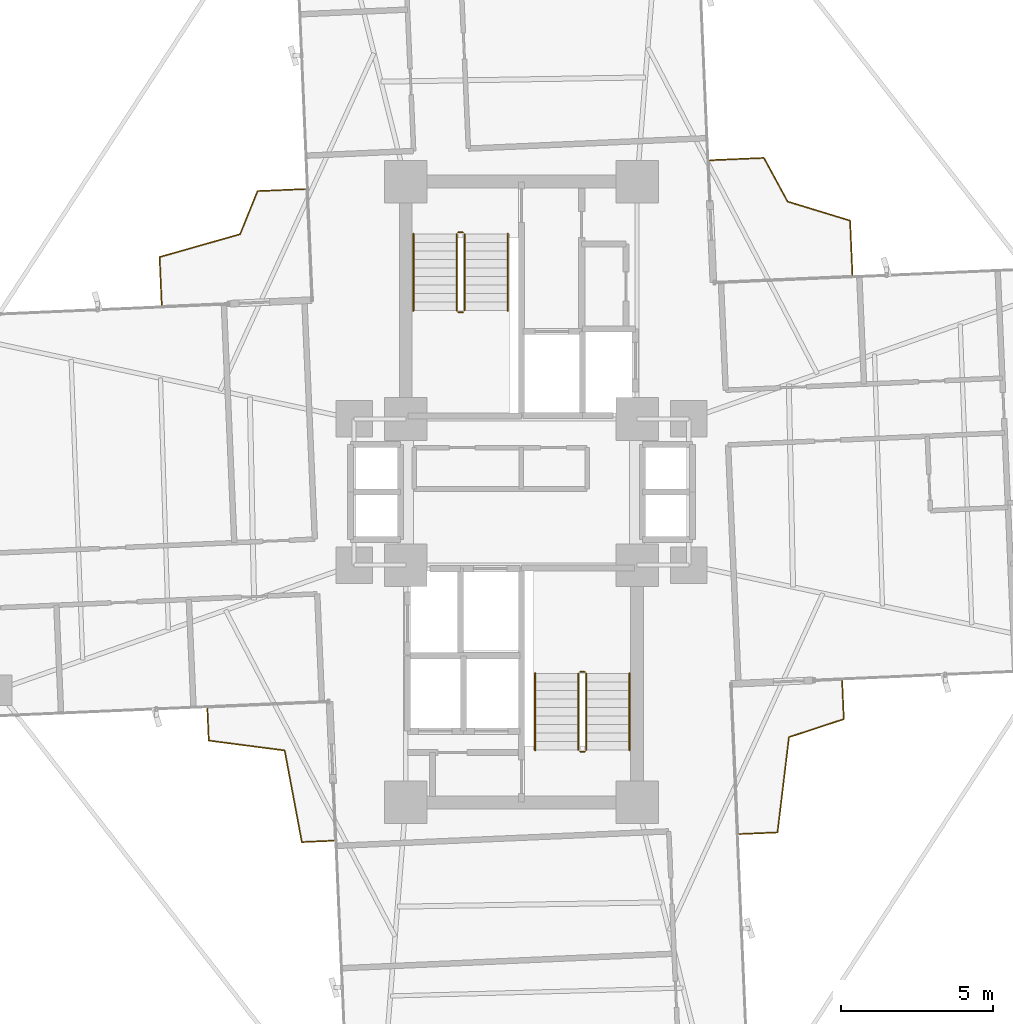
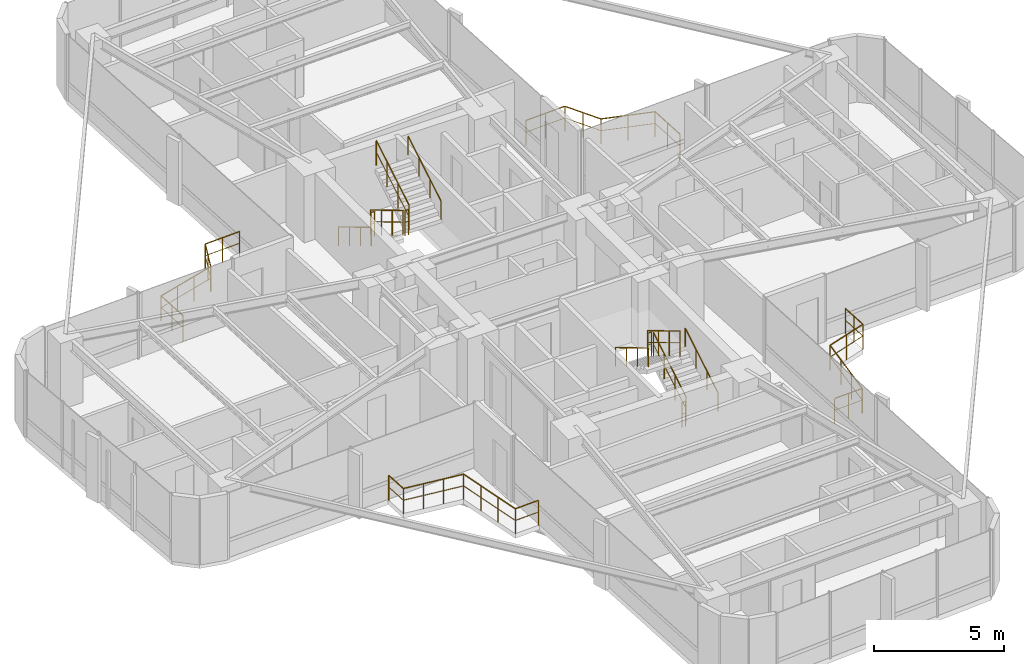
# One storey, part 26 of 26: 16 railings.
"""IFC4 building model written with IfcOpenShell, lengths in metres."""

from ifc_helpers import new_model, si_unit, direction, frame, origin, origin_2d, place, context, subcontext, project, spatial, circle, extrude, material, type_object, element, save


model = new_model("IFC4")

# Units and contexts
model_context = context("Model", 3, precision=1e-05, world=origin(), true_north=direction((0.0, 1.0)))
body_context = subcontext(model_context, "Body", "Model", "MODEL_VIEW")
ifc_project = project(units=[si_unit("LENGTHUNIT", "METRE"), si_unit("AREAUNIT", "SQUARE_METRE"), si_unit("VOLUMEUNIT", "CUBIC_METRE"), si_unit("PLANEANGLEUNIT", "RADIAN"), si_unit("MASSUNIT", "GRAM", prefix="KILO")], contexts=[model_context])

# Site, building, storey
site_placement = place(None, origin())
site = spatial("IfcSite", under=ifc_project, at=site_placement, CompositionType="ELEMENT")
building_placement = place(site_placement, origin())
building = spatial("IfcBuilding", under=site, at=building_placement, Name="Sahyath Konkavel Grand Hotel", CompositionType="ELEMENT")
storey_placement = place(building_placement, frame((0.0, 0.0, 114.800048828125)))
storey = spatial("IfcBuildingStorey", under=building, at=storey_placement, Name="L31", CompositionType="ELEMENT", Elevation=114.800048828125)

# Railings
ifc_material_1 = material(Name="Anodised Bronze Aluminium", Category="aluminium")
railing_type_1 = type_object("IfcRailingType", Name="RLG-BALC-1200", PredefinedType="GUARDRAIL", material=ifc_material_1)
railing_1_placement = place(storey_placement, frame((10.876953125, 7.14111328125, 0.0)))
element("IfcRailing", 1, at=railing_1_placement, inside=storey, type_object=railing_type_1, Name="L31 Winter-Garden Guard NE", PredefinedType="GUARDRAIL", context=body_context, shape_type="SweptSolid", body=[
    extrude(circle(Radius=0.02392578125, at=origin_2d()), frame((0.0, 0.001953125, 1.17578125), z_axis=(-0.043621763212, 0.999048117847, 0.0), x_axis=(-0.999048117847, -0.043621763212, 0.0)), (0.0, 0.0, 1.0), 1.77587890625),
    extrude(circle(Radius=0.01416015625, at=origin_2d()), frame((0.0, 0.001953125, 0.6240234375), z_axis=(-0.043621763212, 0.999048117847, 0.0), x_axis=(-0.999048117847, -0.043621763212, 0.0)), (0.0, 0.0, 1.0), 1.77587890625),
    extrude(circle(Radius=0.02392578125, at=origin_2d()), frame((-0.07958984375, 1.778564453125, 1.17578125), z_axis=(-0.956431028799, 0.291958365441, 0.0), x_axis=(-0.291958365441, -0.956431028799, 0.0)), (0.0, 0.0, 1.0), 2.141845703125),
    extrude(circle(Radius=0.01416015625, at=origin_2d()), frame((-0.07958984375, 1.778564453125, 0.6240234375), z_axis=(-0.956431028799, 0.291958365441, 0.0), x_axis=(-0.291958365441, -0.956431028799, 0.0)), (0.0, 0.0, 1.0), 2.141845703125),
    extrude(circle(Radius=0.02392578125, at=origin_2d()), frame((-2.130859375, 2.40625, 1.17578125), z_axis=(-0.477174386899, 0.878808627909, 0.0), x_axis=(-0.878808627909, -0.477174386899, 0.0)), (0.0, 0.0, 1.0), 1.628173828125),
    extrude(circle(Radius=0.01416015625, at=origin_2d()), frame((-2.130859375, 2.40625, 0.6240234375), z_axis=(-0.477174386899, 0.878808627909, 0.0), x_axis=(-0.878808627909, -0.477174386899, 0.0)), (0.0, 0.0, 1.0), 1.628173828125),
    extrude(circle(Radius=0.02392578125, at=origin_2d()), frame((-2.91064453125, 3.8388671875, 1.17578125), z_axis=(-0.999048117847, -0.043621763212, 0.0), x_axis=(0.043621763212, -0.999048117847, 0.0)), (0.0, 0.0, 1.0), 1.77587890625),
    extrude(circle(Radius=0.01416015625, at=origin_2d()), frame((-2.91064453125, 3.8388671875, 0.6240234375), z_axis=(-0.999048117847, -0.043621763212, 0.0), x_axis=(0.043621763212, -0.999048117847, 0.0)), (0.0, 0.0, 1.0), 1.77587890625),
    extrude(circle(Radius=0.02099609375, at=origin_2d()), origin(), (0.0, 0.0, 1.0), 1.15185546875),
    extrude(circle(Radius=0.02099609375, at=origin_2d()), frame((-0.038818359375, 0.88916015625, 0.0)), (0.0, 0.0, 1.0), 1.15185546875),
    extrude(circle(Radius=0.02099609375, at=origin_2d()), frame((-0.07763671875, 1.778076171875, 0.0)), (0.0, 0.0, 1.0), 1.15185546875),
    extrude(circle(Radius=0.02099609375, at=origin_2d()), frame((-1.103759765625, 2.09130859375, 0.0)), (0.0, 0.0, 1.0), 1.15185546875),
    extrude(circle(Radius=0.02099609375, at=origin_2d()), frame((-2.1298828125, 2.404541015625, 0.0)), (0.0, 0.0, 1.0), 1.15185546875),
    extrude(circle(Radius=0.02099609375, at=origin_2d()), frame((-2.519287109375, 3.12158203125, 0.0)), (0.0, 0.0, 1.0), 1.15185546875),
    extrude(circle(Radius=0.02099609375, at=origin_2d()), frame((-2.90869140625, 3.8388671875, 0.0)), (0.0, 0.0, 1.0), 1.15185546875),
    extrude(circle(Radius=0.02099609375, at=origin_2d()), frame((-3.7978515625, 3.800048828125, 0.0)), (0.0, 0.0, 1.0), 1.15185546875),
    extrude(circle(Radius=0.02099609375, at=origin_2d()), frame((-4.686767578125, 3.76123046875, 0.0)), (0.0, 0.0, 1.0), 1.15185546875),
])
railing_2_placement = place(storey_placement, frame((-7.10107421875, 9.957763671875, 0.0)))
element("IfcRailing", 2, at=railing_2_placement, inside=storey, type_object=railing_type_1, Name="L31 Winter-Garden Guard NW", PredefinedType="GUARDRAIL", context=body_context, shape_type="SweptSolid", body=[
    extrude(circle(Radius=0.02392578125, at=origin_2d()), frame((-0.001953125, 0.0, 1.17578125), z_axis=(-0.999048529224, -0.043612340642, 0.0), x_axis=(0.043612340642, -0.999048529224, 0.0)), (0.0, 0.0, 1.0), 1.569091796875),
    extrude(circle(Radius=0.01416015625, at=origin_2d()), frame((-0.001953125, 0.0, 0.6240234375), z_axis=(-0.999048529224, -0.043612340642, 0.0), x_axis=(0.043612340642, -0.999048529224, 0.0)), (0.0, 0.0, 1.0), 1.569091796875),
    extrude(circle(Radius=0.02392578125, at=origin_2d()), frame((-1.572265625, -0.070556640625, 1.17578125), z_axis=(-0.37540844276, -0.926859482934, 0.0), x_axis=(0.926859482934, -0.37540844276, 0.0)), (0.0, 0.0, 1.0), 1.524169921875),
    extrude(circle(Radius=0.01416015625, at=origin_2d()), frame((-1.572265625, -0.070556640625, 0.6240234375), z_axis=(-0.37540844276, -0.926859482934, 0.0), x_axis=(0.926859482934, -0.37540844276, 0.0)), (0.0, 0.0, 1.0), 1.524169921875),
    extrude(circle(Radius=0.02392578125, at=origin_2d()), frame((-2.147216796875, -1.485595703125, 1.17578125), z_axis=(-0.961945175022, -0.273242530092, 0.0), x_axis=(0.273242530092, -0.961945175022, 0.0)), (0.0, 0.0, 1.0), 2.744384765625),
    extrude(circle(Radius=0.01416015625, at=origin_2d()), frame((-2.147216796875, -1.485595703125, 0.6240234375), z_axis=(-0.961945175022, -0.273242530092, 0.0), x_axis=(0.273242530092, -0.961945175022, 0.0)), (0.0, 0.0, 1.0), 2.744384765625),
    extrude(circle(Radius=0.02392578125, at=origin_2d()), frame((-4.7890625, -2.238037109375, 1.17578125), z_axis=(0.043612340642, -0.999048529224, 0.0), x_axis=(0.999048529224, 0.043612340642, 0.0)), (0.0, 0.0, 1.0), 1.569091796875),
    extrude(circle(Radius=0.01416015625, at=origin_2d()), frame((-4.7890625, -2.238037109375, 0.6240234375), z_axis=(0.043612340642, -0.999048529224, 0.0), x_axis=(0.999048529224, 0.043612340642, 0.0)), (0.0, 0.0, 1.0), 1.569091796875),
    extrude(circle(Radius=0.02099609375, at=origin_2d()), origin(), (0.0, 0.0, 1.0), 1.15185546875),
    extrude(circle(Radius=0.02099609375, at=origin_2d()), frame((-0.78564453125, -0.0341796875, 0.0)), (0.0, 0.0, 1.0), 1.15185546875),
    extrude(circle(Radius=0.02099609375, at=origin_2d()), frame((-1.571533203125, -0.068603515625, 0.0)), (0.0, 0.0, 1.0), 1.15185546875),
    extrude(circle(Radius=0.02099609375, at=origin_2d()), frame((-1.8583984375, -0.77685546875, 0.0)), (0.0, 0.0, 1.0), 1.15185546875),
    extrude(circle(Radius=0.02099609375, at=origin_2d()), frame((-2.145263671875, -1.485107421875, 0.0)), (0.0, 0.0, 1.0), 1.15185546875),
    extrude(circle(Radius=0.02099609375, at=origin_2d()), frame((-3.026611328125, -1.7353515625, 0.0)), (0.0, 0.0, 1.0), 1.15185546875),
    extrude(circle(Radius=0.02099609375, at=origin_2d()), frame((-3.90771484375, -1.98583984375, 0.0)), (0.0, 0.0, 1.0), 1.15185546875),
    extrude(circle(Radius=0.02099609375, at=origin_2d()), frame((-4.7890625, -2.236083984375, 0.0)), (0.0, 0.0, 1.0), 1.15185546875),
    extrude(circle(Radius=0.02099609375, at=origin_2d()), frame((-4.7548828125, -3.02197265625, 0.0)), (0.0, 0.0, 1.0), 1.15185546875),
    extrude(circle(Radius=0.02099609375, at=origin_2d()), frame((-4.720458984375, -3.8076171875, 0.0)), (0.0, 0.0, 1.0), 1.15185546875),
])
railing_3_placement = place(storey_placement, frame((-10.3212890625, -7.116943359375, 0.0)))
element("IfcRailing", 3, at=railing_3_placement, inside=storey, type_object=railing_type_1, Name="L31 Winter-Garden Guard SW", PredefinedType="GUARDRAIL", context=body_context, shape_type="SweptSolid", body=[
    extrude(circle(Radius=0.02392578125, at=origin_2d()), frame((0.0, -0.001953125, 1.17578125), z_axis=(0.04360834833, -0.999048703495, 0.0), x_axis=(0.999048703495, 0.04360834833, 0.0)), (0.0, 0.0, 1.0), 1.048583984375),
    extrude(circle(Radius=0.01416015625, at=origin_2d()), frame((0.0, -0.001953125, 0.6240234375), z_axis=(0.04360834833, -0.999048703495, 0.0), x_axis=(0.999048703495, 0.04360834833, 0.0)), (0.0, 0.0, 1.0), 1.048583984375),
    extrude(circle(Radius=0.02392578125, at=origin_2d()), frame((0.0478515625, -1.0517578125, 1.17578125), z_axis=(0.991664180118, -0.128849345639, 0.0), x_axis=(0.128849345639, 0.991664180118, 0.0)), (0.0, 0.0, 1.0), 2.51025390625),
    extrude(circle(Radius=0.01416015625, at=origin_2d()), frame((0.0478515625, -1.0517578125, 0.6240234375), z_axis=(0.991664180118, -0.128849345639, 0.0), x_axis=(0.128849345639, 0.991664180118, 0.0)), (0.0, 0.0, 1.0), 2.51025390625),
    extrude(circle(Radius=0.02392578125, at=origin_2d()), frame((2.539794921875, -1.37744140625, 1.17578125), z_axis=(0.184225991414, -0.982883911806, 0.0), x_axis=(0.982883911806, 0.184225991414, 0.0)), (0.0, 0.0, 1.0), 3.059814453125),
    extrude(circle(Radius=0.01416015625, at=origin_2d()), frame((2.539794921875, -1.37744140625, 0.6240234375), z_axis=(0.184225991414, -0.982883911806, 0.0), x_axis=(0.982883911806, 0.184225991414, 0.0)), (0.0, 0.0, 1.0), 3.059814453125),
    extrude(circle(Radius=0.02392578125, at=origin_2d()), frame((3.105712890625, -4.386962890625, 1.17578125), z_axis=(0.999038571033, 0.043839862996, 0.0), x_axis=(-0.043839862996, 0.999038571033, 0.0)), (0.0, 0.0, 1.0), 1.048583984375),
    extrude(circle(Radius=0.01416015625, at=origin_2d()), frame((3.105712890625, -4.386962890625, 0.6240234375), z_axis=(0.999038571033, 0.043839862996, 0.0), x_axis=(-0.043839862996, 0.999038571033, 0.0)), (0.0, 0.0, 1.0), 1.048583984375),
    extrude(circle(Radius=0.02099609375, at=origin_2d()), origin(), (0.0, 0.0, 1.0), 1.15185546875),
    extrude(circle(Radius=0.02099609375, at=origin_2d()), frame((0.0458984375, -1.051513671875, 0.0)), (0.0, 0.0, 1.0), 1.15185546875),
    extrude(circle(Radius=0.02099609375, at=origin_2d()), frame((0.876953125, -1.159423828125, 0.0)), (0.0, 0.0, 1.0), 1.15185546875),
    extrude(circle(Radius=0.02099609375, at=origin_2d()), frame((1.708251953125, -1.267578125, 0.0)), (0.0, 0.0, 1.0), 1.15185546875),
    extrude(circle(Radius=0.02099609375, at=origin_2d()), frame((2.539306640625, -1.37548828125, 0.0)), (0.0, 0.0, 1.0), 1.15185546875),
    extrude(circle(Radius=0.02099609375, at=origin_2d()), frame((2.7275390625, -2.37939453125, 0.0)), (0.0, 0.0, 1.0), 1.15185546875),
    extrude(circle(Radius=0.02099609375, at=origin_2d()), frame((2.91552734375, -3.383056640625, 0.0)), (0.0, 0.0, 1.0), 1.15185546875),
    extrude(circle(Radius=0.02099609375, at=origin_2d()), frame((3.103759765625, -4.386962890625, 0.0)), (0.0, 0.0, 1.0), 1.15185546875),
    extrude(circle(Radius=0.02099609375, at=origin_2d()), frame((4.1552734375, -4.3408203125, 0.0)), (0.0, 0.0, 1.0), 1.15185546875),
])
railing_4_placement = place(storey_placement, frame((7.156982421875, -11.240478515625, 0.0)))
element("IfcRailing", 4, at=railing_4_placement, inside=storey, type_object=railing_type_1, Name="L31 Winter-Garden Guard SE", PredefinedType="GUARDRAIL", context=body_context, shape_type="SweptSolid", body=[
    extrude(circle(Radius=0.02392578125, at=origin_2d()), frame((0.001953125, 0.0, 1.17578125), z_axis=(0.999048093484, 0.043622321179, 0.0), x_axis=(-0.043622321179, 0.999048093484, 0.0)), (0.0, 0.0, 1.0), 1.25537109375),
    extrude(circle(Radius=0.01416015625, at=origin_2d()), frame((0.001953125, 0.0, 0.6240234375), z_axis=(0.999048093484, 0.043622321179, 0.0), x_axis=(-0.043622321179, 0.999048093484, 0.0)), (0.0, 0.0, 1.0), 1.25537109375),
    extrude(circle(Radius=0.02392578125, at=origin_2d()), frame((1.25830078125, 0.056884765625, 1.17578125), z_axis=(0.119514778191, 0.992832421808, 0.0), x_axis=(-0.992832421808, 0.119514778191, 0.0)), (0.0, 0.0, 1.0), 3.14794921875),
    extrude(circle(Radius=0.01416015625, at=origin_2d()), frame((1.25830078125, 0.056884765625, 0.6240234375), z_axis=(0.119514778191, 0.992832421808, 0.0), x_axis=(-0.992832421808, 0.119514778191, 0.0)), (0.0, 0.0, 1.0), 3.14794921875),
    extrude(circle(Radius=0.02392578125, at=origin_2d()), frame((1.63671875, 3.18505859375, 1.17578125), z_axis=(0.950038837673, 0.312131714044, 0.0), x_axis=(-0.312131714044, 0.950038837673, 0.0)), (0.0, 0.0, 1.0), 1.892822265625),
    extrude(circle(Radius=0.01416015625, at=origin_2d()), frame((1.63671875, 3.18505859375, 0.6240234375), z_axis=(0.950038837673, 0.312131714044, 0.0), x_axis=(-0.312131714044, 0.950038837673, 0.0)), (0.0, 0.0, 1.0), 1.892822265625),
    extrude(circle(Radius=0.02392578125, at=origin_2d()), frame((3.436767578125, 3.7783203125, 1.17578125), z_axis=(-0.043630772127, 0.999047724447, 0.0), x_axis=(-0.999047724447, -0.043630772127, 0.0)), (0.0, 0.0, 1.0), 1.255126953125),
    extrude(circle(Radius=0.01416015625, at=origin_2d()), frame((3.436767578125, 3.7783203125, 0.6240234375), z_axis=(-0.043630772127, 0.999047724447, 0.0), x_axis=(-0.999047724447, -0.043630772127, 0.0)), (0.0, 0.0, 1.0), 1.255126953125),
    extrude(circle(Radius=0.02099609375, at=origin_2d()), origin(), (0.0, 0.0, 1.0), 1.15185546875),
    extrude(circle(Radius=0.02099609375, at=origin_2d()), frame((0.62890625, 0.02734375, 0.0)), (0.0, 0.0, 1.0), 1.15185546875),
    extrude(circle(Radius=0.02099609375, at=origin_2d()), frame((1.258056640625, 0.054931640625, 0.0)), (0.0, 0.0, 1.0), 1.15185546875),
    extrude(circle(Radius=0.02099609375, at=origin_2d()), frame((1.383544921875, 1.09814453125, 0.0)), (0.0, 0.0, 1.0), 1.15185546875),
    extrude(circle(Radius=0.02099609375, at=origin_2d()), frame((1.50927734375, 2.14111328125, 0.0)), (0.0, 0.0, 1.0), 1.15185546875),
    extrude(circle(Radius=0.02099609375, at=origin_2d()), frame((1.634765625, 3.184326171875, 0.0)), (0.0, 0.0, 1.0), 1.15185546875),
    extrude(circle(Radius=0.02099609375, at=origin_2d()), frame((2.53564453125, 3.48046875, 0.0)), (0.0, 0.0, 1.0), 1.15185546875),
    extrude(circle(Radius=0.02099609375, at=origin_2d()), frame((3.436767578125, 3.7763671875, 0.0)), (0.0, 0.0, 1.0), 1.15185546875),
    extrude(circle(Radius=0.02099609375, at=origin_2d()), frame((3.4091796875, 4.4052734375, 0.0)), (0.0, 0.0, 1.0), 1.15185546875),
    extrude(circle(Radius=0.02099609375, at=origin_2d()), frame((3.3818359375, 5.0341796875, 0.0)), (0.0, 0.0, 1.0), 1.15185546875),
])
ifc_material_2 = material(Name="Steel E350", Category="steel")
railing_type_2 = type_object("IfcRailingType", Name="RLG-STAIR-GRD", PredefinedType="GUARDRAIL", material=ifc_material_2)
railing_5_placement = place(storey_placement, frame((-2.1298828125, 8.47998046875, 0.16748046875)))
element("IfcRailing", 5, at=railing_5_placement, inside=storey, type_object=railing_type_2, Name="L31 ST-1 stair guard 1", PredefinedType="GUARDRAIL", context=body_context, shape_type="SweptSolid", body=[
    extrude(circle(Radius=0.02392578125, at=origin_2d()), frame((0.0, -0.001708984375, 1.177001953125), z_axis=(0.0, -0.858159760407, 0.513382728203), x_axis=(1.0, 0.0, 0.0)), (0.0, 0.0, 1.0), 2.9326171875),
    extrude(circle(Radius=0.01416015625, at=origin_2d()), frame((0.0, -0.001708984375, 0.625), z_axis=(0.0, -0.858159760407, 0.513382728203), x_axis=(1.0, 0.0, 0.0)), (0.0, 0.0, 1.0), 2.9326171875),
    extrude(circle(Radius=0.02099609375, at=origin_2d()), origin(), (0.0, 0.0, 1.0), 1.15185546875),
    extrude(circle(Radius=0.02099609375, at=origin_2d()), frame((0.0, -0.840087890625, 0.50244140625)), (0.0, 0.0, 1.0), 1.15185546875),
    extrude(circle(Radius=0.02099609375, at=origin_2d()), frame((0.0, -1.679931640625, 1.005126953125)), (0.0, 0.0, 1.0), 1.15185546875),
    extrude(circle(Radius=0.02099609375, at=origin_2d()), frame((0.0, -2.52001953125, 1.507568359375)), (0.0, 0.0, 1.0), 1.15185546875),
])
railing_6_placement = place(storey_placement, frame((-2.080078125, 5.909912109375, 1.675048828125)))
element("IfcRailing", 6, at=railing_6_placement, inside=storey, type_object=railing_type_2, Name="L31 ST-1 stair guard 2", PredefinedType="GUARDRAIL", context=body_context, shape_type="SweptSolid", body=[
    extrude(circle(Radius=0.02392578125, at=origin_2d()), frame((0.001953125, 0.0, 1.17578125), z_axis=(1.0, 0.0, 0.0), x_axis=(0.0, 1.0, 0.0)), (0.0, 0.0, 1.0), 0.15625),
    extrude(circle(Radius=0.01416015625, at=origin_2d()), frame((0.001953125, 0.0, 0.6240234375), z_axis=(1.0, 0.0, 0.0), x_axis=(0.0, 1.0, 0.0)), (0.0, 0.0, 1.0), 0.15625),
    extrude(circle(Radius=0.02099609375, at=origin_2d()), origin(), (0.0, 0.0, 1.0), 1.15185546875),
    extrude(circle(Radius=0.02099609375, at=origin_2d()), frame((0.16015625, 0.0, 0.0)), (0.0, 0.0, 1.0), 1.15185546875),
])
railing_7_placement = place(storey_placement, frame((-1.8701171875, 5.9599609375, 1.842529296875)))
element("IfcRailing", 7, at=railing_7_placement, inside=storey, type_object=railing_type_2, Name="L31 ST-1 stair guard 3", PredefinedType="GUARDRAIL", context=body_context, shape_type="SweptSolid", body=[
    extrude(circle(Radius=0.02392578125, at=origin_2d()), frame((0.0, 0.001708984375, 1.177001953125), z_axis=(0.0, 0.858196387827, 0.513321497621), x_axis=(-1.0, 0.0, 0.0)), (0.0, 0.0, 1.0), 2.932373046875),
    extrude(circle(Radius=0.01416015625, at=origin_2d()), frame((0.0, 0.001708984375, 0.625), z_axis=(0.0, 0.858196387827, 0.513321497621), x_axis=(-1.0, 0.0, 0.0)), (0.0, 0.0, 1.0), 2.932373046875),
    extrude(circle(Radius=0.02099609375, at=origin_2d()), origin(), (0.0, 0.0, 1.0), 1.15185546875),
    extrude(circle(Radius=0.02099609375, at=origin_2d()), frame((0.0, 0.840087890625, 0.50244140625)), (0.0, 0.0, 1.0), 1.15185546875),
    extrude(circle(Radius=0.02099609375, at=origin_2d()), frame((0.0, 1.679931640625, 1.0048828125)), (0.0, 0.0, 1.0), 1.15185546875),
    extrude(circle(Radius=0.02099609375, at=origin_2d()), frame((0.0, 2.52001953125, 1.50732421875)), (0.0, 0.0, 1.0), 1.15185546875),
])
railing_8_placement = place(storey_placement, frame((-2.080078125, 8.530029296875, 0.0)))
element("IfcRailing", 8, at=railing_8_placement, inside=storey, type_object=railing_type_2, Name="L31 ST-1 stair guard 4", PredefinedType="GUARDRAIL", context=body_context, shape_type="SweptSolid", body=[
    extrude(circle(Radius=0.02392578125, at=origin_2d()), frame((0.001953125, 0.0, 1.17578125), z_axis=(1.0, 0.0, 0.0), x_axis=(0.0, 1.0, 0.0)), (0.0, 0.0, 1.0), 0.15625),
    extrude(circle(Radius=0.01416015625, at=origin_2d()), frame((0.001953125, 0.0, 0.6240234375), z_axis=(1.0, 0.0, 0.0), x_axis=(0.0, 1.0, 0.0)), (0.0, 0.0, 1.0), 0.15625),
    extrude(circle(Radius=0.02099609375, at=origin_2d()), origin(), (0.0, 0.0, 1.0), 1.15185546875),
    extrude(circle(Radius=0.02099609375, at=origin_2d()), frame((0.16015625, 0.0, 0.0)), (0.0, 0.0, 1.0), 1.15185546875),
])
railing_9_placement = place(storey_placement, frame((2.1298828125, -8.47998046875, 0.16748046875)))
element("IfcRailing", 9, at=railing_9_placement, inside=storey, type_object=railing_type_2, Name="L31 ST-2 stair guard 1", PredefinedType="GUARDRAIL", context=body_context, shape_type="SweptSolid", body=[
    extrude(circle(Radius=0.02392578125, at=origin_2d()), frame((0.0, 0.001708984375, 1.177001953125), z_axis=(0.0, 0.858159760407, 0.513382728203), x_axis=(-1.0, 0.0, 0.0)), (0.0, 0.0, 1.0), 2.9326171875),
    extrude(circle(Radius=0.01416015625, at=origin_2d()), frame((0.0, 0.001708984375, 0.625), z_axis=(0.0, 0.858159760407, 0.513382728203), x_axis=(-1.0, 0.0, 0.0)), (0.0, 0.0, 1.0), 2.9326171875),
    extrude(circle(Radius=0.02099609375, at=origin_2d()), origin(), (0.0, 0.0, 1.0), 1.15185546875),
    extrude(circle(Radius=0.02099609375, at=origin_2d()), frame((0.0, 0.840087890625, 0.50244140625)), (0.0, 0.0, 1.0), 1.15185546875),
    extrude(circle(Radius=0.02099609375, at=origin_2d()), frame((0.0, 1.679931640625, 1.005126953125)), (0.0, 0.0, 1.0), 1.15185546875),
    extrude(circle(Radius=0.02099609375, at=origin_2d()), frame((0.0, 2.52001953125, 1.507568359375)), (0.0, 0.0, 1.0), 1.15185546875),
])
railing_10_placement = place(storey_placement, frame((2.080078125, -5.909912109375, 1.675048828125)))
element("IfcRailing", 10, at=railing_10_placement, inside=storey, type_object=railing_type_2, Name="L31 ST-2 stair guard 2", PredefinedType="GUARDRAIL", context=body_context, shape_type="SweptSolid", body=[
    extrude(circle(Radius=0.02392578125, at=origin_2d()), frame((-0.001953125, 0.0, 1.17578125), z_axis=(-1.0, 0.0, 0.0), x_axis=(0.0, -1.0, 0.0)), (0.0, 0.0, 1.0), 0.15625),
    extrude(circle(Radius=0.01416015625, at=origin_2d()), frame((-0.001953125, 0.0, 0.6240234375), z_axis=(-1.0, 0.0, 0.0), x_axis=(0.0, -1.0, 0.0)), (0.0, 0.0, 1.0), 0.15625),
    extrude(circle(Radius=0.02099609375, at=origin_2d()), origin(), (0.0, 0.0, 1.0), 1.15185546875),
    extrude(circle(Radius=0.02099609375, at=origin_2d()), frame((-0.16015625, 0.0, 0.0)), (0.0, 0.0, 1.0), 1.15185546875),
])
railing_11_placement = place(storey_placement, frame((1.8701171875, -5.9599609375, 1.842529296875)))
element("IfcRailing", 11, at=railing_11_placement, inside=storey, type_object=railing_type_2, Name="L31 ST-2 stair guard 3", PredefinedType="GUARDRAIL", context=body_context, shape_type="SweptSolid", body=[
    extrude(circle(Radius=0.02392578125, at=origin_2d()), frame((0.0, -0.001708984375, 1.177001953125), z_axis=(0.0, -0.858196387827, 0.513321497621), x_axis=(1.0, 0.0, 0.0)), (0.0, 0.0, 1.0), 2.932373046875),
    extrude(circle(Radius=0.01416015625, at=origin_2d()), frame((0.0, -0.001708984375, 0.625), z_axis=(0.0, -0.858196387827, 0.513321497621), x_axis=(1.0, 0.0, 0.0)), (0.0, 0.0, 1.0), 2.932373046875),
    extrude(circle(Radius=0.02099609375, at=origin_2d()), origin(), (0.0, 0.0, 1.0), 1.15185546875),
    extrude(circle(Radius=0.02099609375, at=origin_2d()), frame((0.0, -0.840087890625, 0.50244140625)), (0.0, 0.0, 1.0), 1.15185546875),
    extrude(circle(Radius=0.02099609375, at=origin_2d()), frame((0.0, -1.679931640625, 1.0048828125)), (0.0, 0.0, 1.0), 1.15185546875),
    extrude(circle(Radius=0.02099609375, at=origin_2d()), frame((0.0, -2.52001953125, 1.50732421875)), (0.0, 0.0, 1.0), 1.15185546875),
])
railing_12_placement = place(storey_placement, frame((2.080078125, -8.530029296875, 0.0)))
element("IfcRailing", 12, at=railing_12_placement, inside=storey, type_object=railing_type_2, Name="L31 ST-2 stair guard 4", PredefinedType="GUARDRAIL", context=body_context, shape_type="SweptSolid", body=[
    extrude(circle(Radius=0.02392578125, at=origin_2d()), frame((-0.001953125, 0.0, 1.17578125), z_axis=(-1.0, 0.0, 0.0), x_axis=(0.0, -1.0, 0.0)), (0.0, 0.0, 1.0), 0.15625),
    extrude(circle(Radius=0.01416015625, at=origin_2d()), frame((-0.001953125, 0.0, 0.6240234375), z_axis=(-1.0, 0.0, 0.0), x_axis=(0.0, -1.0, 0.0)), (0.0, 0.0, 1.0), 0.15625),
    extrude(circle(Radius=0.02099609375, at=origin_2d()), origin(), (0.0, 0.0, 1.0), 1.15185546875),
    extrude(circle(Radius=0.02099609375, at=origin_2d()), frame((-0.16015625, 0.0, 0.0)), (0.0, 0.0, 1.0), 1.15185546875),
])
railing_type_3 = type_object("IfcRailingType", Name="RLG-STAIR-HND", PredefinedType="HANDRAIL", material=ifc_material_1)
railing_13_placement = place(storey_placement, frame((-3.550048828125, 8.47998046875, 0.16748046875)))
element("IfcRailing", 13, at=railing_13_placement, inside=storey, type_object=railing_type_3, Name="L31 ST-1 stair handrail 1", PredefinedType="HANDRAIL", context=body_context, shape_type="SweptSolid", body=[
    extrude(circle(Radius=0.02392578125, at=origin_2d()), frame((0.0, -0.001708984375, 0.876953125), z_axis=(0.0, -0.858159760407, 0.513382728203), x_axis=(1.0, 0.0, 0.0)), (0.0, 0.0, 1.0), 2.9326171875),
    extrude(circle(Radius=0.02099609375, at=origin_2d()), origin(), (0.0, 0.0, 1.0), 0.851806640625),
    extrude(circle(Radius=0.02099609375, at=origin_2d()), frame((0.0, -0.840087890625, 0.50244140625)), (0.0, 0.0, 1.0), 0.851806640625),
    extrude(circle(Radius=0.02099609375, at=origin_2d()), frame((0.0, -1.679931640625, 1.005126953125)), (0.0, 0.0, 1.0), 0.851806640625),
    extrude(circle(Radius=0.02099609375, at=origin_2d()), frame((0.0, -2.52001953125, 1.507568359375)), (0.0, 0.0, 1.0), 0.851806640625),
])
railing_14_placement = place(storey_placement, frame((-0.449951171875, 5.9599609375, 1.842529296875)))
element("IfcRailing", 14, at=railing_14_placement, inside=storey, type_object=railing_type_3, Name="L31 ST-1 stair handrail 2", PredefinedType="HANDRAIL", context=body_context, shape_type="SweptSolid", body=[
    extrude(circle(Radius=0.02392578125, at=origin_2d()), frame((0.0, 0.001708984375, 0.876953125), z_axis=(0.0, 0.858196387827, 0.513321497621), x_axis=(-1.0, 0.0, 0.0)), (0.0, 0.0, 1.0), 2.932373046875),
    extrude(circle(Radius=0.02099609375, at=origin_2d()), origin(), (0.0, 0.0, 1.0), 0.851806640625),
    extrude(circle(Radius=0.02099609375, at=origin_2d()), frame((0.0, 0.840087890625, 0.50244140625)), (0.0, 0.0, 1.0), 0.851806640625),
    extrude(circle(Radius=0.02099609375, at=origin_2d()), frame((0.0, 1.679931640625, 1.0048828125)), (0.0, 0.0, 1.0), 0.851806640625),
    extrude(circle(Radius=0.02099609375, at=origin_2d()), frame((0.0, 2.52001953125, 1.50732421875)), (0.0, 0.0, 1.0), 0.851806640625),
])
railing_15_placement = place(storey_placement, frame((3.550048828125, -8.47998046875, 0.16748046875)))
element("IfcRailing", 15, at=railing_15_placement, inside=storey, type_object=railing_type_3, Name="L31 ST-2 stair handrail 1", PredefinedType="HANDRAIL", context=body_context, shape_type="SweptSolid", body=[
    extrude(circle(Radius=0.02392578125, at=origin_2d()), frame((0.0, 0.001708984375, 0.876953125), z_axis=(0.0, 0.858159760407, 0.513382728203), x_axis=(-1.0, 0.0, 0.0)), (0.0, 0.0, 1.0), 2.9326171875),
    extrude(circle(Radius=0.02099609375, at=origin_2d()), origin(), (0.0, 0.0, 1.0), 0.851806640625),
    extrude(circle(Radius=0.02099609375, at=origin_2d()), frame((0.0, 0.840087890625, 0.50244140625)), (0.0, 0.0, 1.0), 0.851806640625),
    extrude(circle(Radius=0.02099609375, at=origin_2d()), frame((0.0, 1.679931640625, 1.005126953125)), (0.0, 0.0, 1.0), 0.851806640625),
    extrude(circle(Radius=0.02099609375, at=origin_2d()), frame((0.0, 2.52001953125, 1.507568359375)), (0.0, 0.0, 1.0), 0.851806640625),
])
railing_16_placement = place(storey_placement, frame((0.449951171875, -5.9599609375, 1.842529296875)))
element("IfcRailing", 16, at=railing_16_placement, inside=storey, type_object=railing_type_3, Name="L31 ST-2 stair handrail 2", PredefinedType="HANDRAIL", context=body_context, shape_type="SweptSolid", body=[
    extrude(circle(Radius=0.02392578125, at=origin_2d()), frame((0.0, -0.001708984375, 0.876953125), z_axis=(0.0, -0.858196387827, 0.513321497621), x_axis=(1.0, 0.0, 0.0)), (0.0, 0.0, 1.0), 2.932373046875),
    extrude(circle(Radius=0.02099609375, at=origin_2d()), origin(), (0.0, 0.0, 1.0), 0.851806640625),
    extrude(circle(Radius=0.02099609375, at=origin_2d()), frame((0.0, -0.840087890625, 0.50244140625)), (0.0, 0.0, 1.0), 0.851806640625),
    extrude(circle(Radius=0.02099609375, at=origin_2d()), frame((0.0, -1.679931640625, 1.0048828125)), (0.0, 0.0, 1.0), 0.851806640625),
    extrude(circle(Radius=0.02099609375, at=origin_2d()), frame((0.0, -2.52001953125, 1.50732421875)), (0.0, 0.0, 1.0), 0.851806640625),
])

save(model, "model.ifc")
